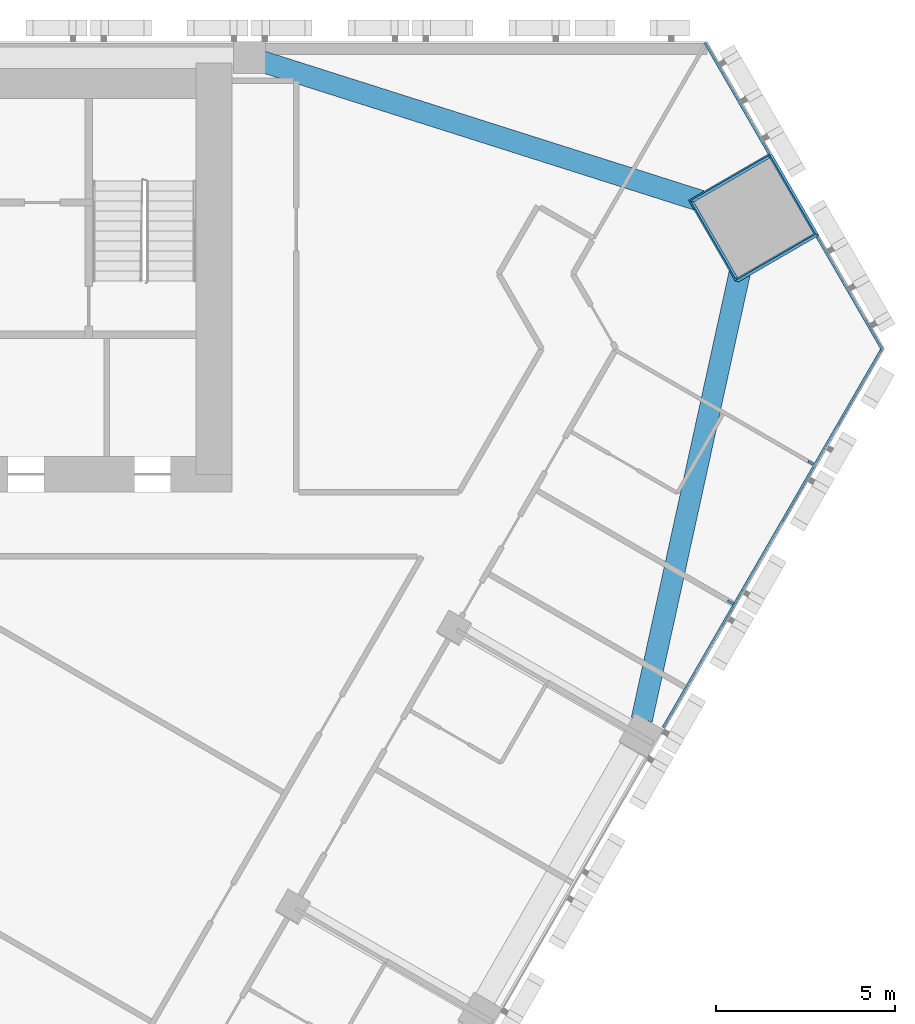
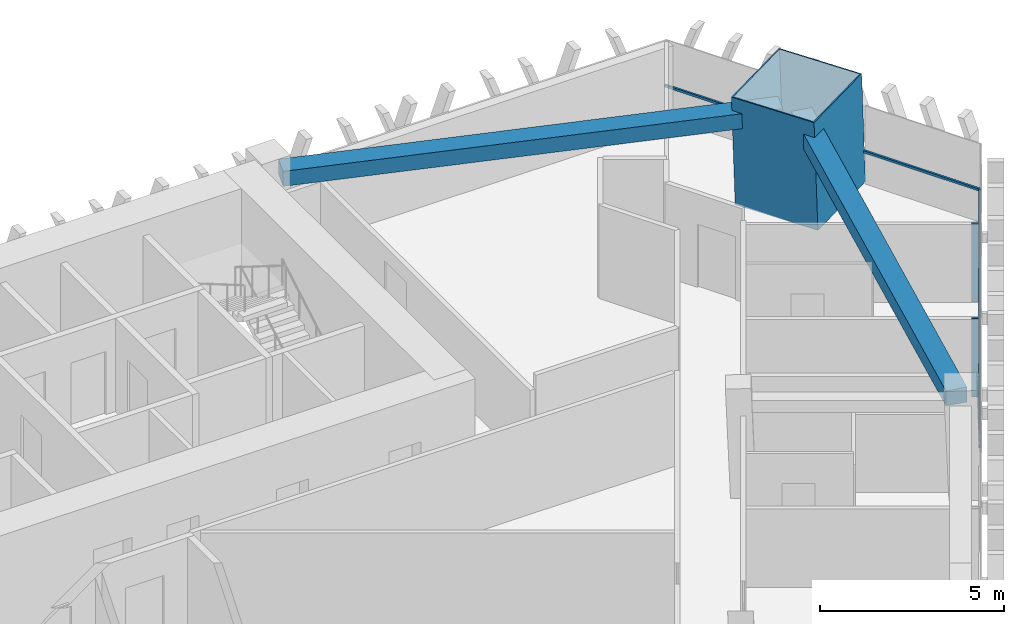
# One storey, part 8 of 17: 6 members, 2 beams, 2 elements without a shape of their own.
"""IFC4 building model written with IfcOpenShell, lengths in metres."""

from ifc_helpers import new_model, si_unit, direction, frame, origin, origin_2d, place, context, subcontext, project, spatial, rectangle, hollow_rectangle, extrude, material, layer, layer_set, material_profile, profile_set, type_object, element, aggregate, save


model = new_model("IFC4")

# Units and contexts
model_context = context("Model", 3, precision=1e-05, world=origin(), true_north=direction((0.0, 1.0)))
body_context = subcontext(model_context, "Body", "Model", "MODEL_VIEW")
ifc_project = project(units=[si_unit("LENGTHUNIT", "METRE"), si_unit("AREAUNIT", "SQUARE_METRE"), si_unit("VOLUMEUNIT", "CUBIC_METRE"), si_unit("PLANEANGLEUNIT", "RADIAN"), si_unit("MASSUNIT", "GRAM", prefix="KILO")], contexts=[model_context])

# Site, building, storey
site_placement = place(None, origin())
site = spatial("IfcSite", under=ifc_project, at=site_placement, CompositionType="ELEMENT")
building_placement = place(site_placement, origin())
building = spatial("IfcBuilding", under=site, at=building_placement, Name="Altiplano Prism Tower", CompositionType="ELEMENT")
storey_placement = place(building_placement, frame((0.0, 0.0, 30.60009765625)))
storey = spatial("IfcBuildingStorey", under=building, at=storey_placement, Name="L06", CompositionType="ELEMENT", Elevation=30.60009765625)

# Curtain wall, members
ifc_material_1 = material(Name="Aluminium and glass", Category="aluminium")
ifc_layer = layer(ifc_material_1, 0.280029296875)
ifc_layer_set = layer_set([ifc_layer], Name="Aluminium and glass")
curtain_wall_type = type_object("IfcCurtainWallType", Name="CW1 typical co-living unitised curtain wall", PredefinedType="NOTDEFINED", material=ifc_layer_set)
curtain_wall_1_placement = place(storey_placement, origin())
curtain_wall_1 = element("IfcCurtainWall", 1, at=curtain_wall_1_placement, inside=storey, type_object=curtain_wall_type, Name="CW1 curtain wall south-east face L06", PredefinedType="NOTDEFINED")
ifc_material_2 = material(Name="Aluminium", Category="aluminium")
ifc_material_profile_1 = material_profile(ifc_material_2, rectangle(XDim=0.179931640625, YDim=0.06494140625, at=origin_2d()), Name="CW1 mullion 65 x 180")
ifc_profile_set_1 = profile_set([ifc_material_profile_1], Name="Aluminium")
member_type_1 = type_object("IfcMemberType", Name="CW1 mullion 65 x 180", PredefinedType="MULLION", material=ifc_profile_set_1)
member_1_placement = place(storey_placement, frame((111.94189453125, 89.322021484375, 0.0), z_axis=(0.0, 0.0, 1.0), x_axis=(-0.866025402886, 0.500000001557, 0.0)))
member_1 = element("IfcMember", 2, at=member_1_placement, type_object=member_type_1, Name="CW1 mullion", PredefinedType="MULLION", context=body_context, shape_type="SweptSolid", body=[
    extrude(rectangle(XDim=0.179931640625, YDim=0.06494140625, at=origin_2d()), origin(), (0.0, 0.0, 1.0), 2.599853515625),
])
member_2_placement = place(storey_placement, frame((114.19189453125, 93.21923828125, 0.0), z_axis=(0.0, 0.0, 1.0), x_axis=(-0.866025402886, 0.500000001557, 0.0)))
member_2 = element("IfcMember", 3, at=member_2_placement, type_object=member_type_1, Name="CW1 mullion", PredefinedType="MULLION", context=body_context, shape_type="SweptSolid", body=[
    extrude(rectangle(XDim=0.179931640625, YDim=0.06494140625, at=origin_2d()), origin(), (0.0, 0.0, 1.0), 2.599853515625),
])
ifc_material_profile_2 = material_profile(ifc_material_2, rectangle(XDim=0.06005859375, YDim=0.080078125, at=origin_2d()), Name="CW1 transom 80 x 60")
ifc_profile_set_2 = profile_set([ifc_material_profile_2], Name="Aluminium")
member_type_2 = type_object("IfcMemberType", Name="CW1 transom 80 x 60", PredefinedType="USERDEFINED", material=ifc_profile_set_2)
member_3_placement = place(storey_placement, frame((110.060546875, 85.823486328125, 1.099853515625), z_axis=(0.500006861528, 0.866021442243, 0.0), x_axis=(-0.866021442243, 0.500006861528, 0.0)))
member_3 = element("IfcMember", 4, at=member_3_placement, type_object=member_type_2, Name="CW1 transom", ObjectType="TRANSOM", PredefinedType="USERDEFINED", context=body_context, shape_type="SweptSolid", body=[
    extrude(rectangle(XDim=0.06005859375, YDim=0.080078125, at=origin_2d()), origin(), (0.0, 0.0, 1.0), 12.260498046875),
])
aggregate(curtain_wall_1, [member_1, member_2, member_3])

curtain_wall_2_placement = place(storey_placement, origin())
curtain_wall_2 = element("IfcCurtainWall", 5, at=curtain_wall_2_placement, inside=storey, type_object=curtain_wall_type, Name="CW1 curtain wall north-east chamfer L06", PredefinedType="NOTDEFINED")
member_4_placement = place(storey_placement, frame((116.19091796875, 96.371337890625, 1.099853515625), z_axis=(-0.499989866495, 0.866031254287, 0.0), x_axis=(-0.866031254287, -0.499989866495, 0.0)))
member_4 = element("IfcMember", 6, at=member_4_placement, type_object=member_type_2, Name="CW1 transom", ObjectType="TRANSOM", PredefinedType="USERDEFINED", context=body_context, shape_type="SweptSolid", body=[
    extrude(rectangle(XDim=0.06005859375, YDim=0.080078125, at=origin_2d()), origin(), (0.0, 0.0, 1.0), 3.66162109375),
])
member_5_placement = place(storey_placement, frame((113.020263671875, 101.86328125, 1.099853515625), z_axis=(-0.499987977232, 0.866032345022, 0.0), x_axis=(-0.866032345022, -0.499987977232, 0.0)))
member_5 = element("IfcMember", 7, at=member_5_placement, type_object=member_type_2, Name="CW1 transom", ObjectType="TRANSOM", PredefinedType="USERDEFINED", context=body_context, shape_type="SweptSolid", body=[
    extrude(rectangle(XDim=0.06005859375, YDim=0.080078125, at=origin_2d()), origin(), (0.0, 0.0, 1.0), 3.58154296875),
])
aggregate(curtain_wall_2, [member_4, member_5])

# Beams
ifc_material_3 = material(Name="Concrete C60/75", Category="concrete")
ifc_material_profile_3 = material_profile(ifc_material_3, rectangle(XDim=0.60009765625, YDim=0.5, at=origin_2d()), Name="Edge beam 600x500")
ifc_profile_set_3 = profile_set([ifc_material_profile_3], Name="Concrete C60/75")
beam_type = type_object("IfcBeamType", Name="Edge beam 600x500", PredefinedType="SPANDREL", material=ifc_profile_set_3)
beam_1_placement = place(storey_placement, frame((109.462158203125, 86.037353515625, 2.849853515625), z_axis=(0.214178143298, 0.976794616556, 0.0), x_axis=(-0.976794616556, 0.214178143298, 0.0)))
element("IfcBeam", 8, at=beam_1_placement, inside=storey, type_object=beam_type, Name="Edge beam P24-M2 L07", PredefinedType="SPANDREL", context=body_context, shape_type="SweptSolid", body=[
    extrude(rectangle(XDim=0.60009765625, YDim=0.5, at=origin_2d()), origin(), (0.0, 0.0, 1.0), 13.932861328125),
])
beam_2_placement = place(storey_placement, frame((112.11376953125, 100.222900390625, 2.849853515625), z_axis=(-0.95301663916, 0.302917951738, 0.0), x_axis=(-0.302917951738, -0.95301663916, 0.0)))
element("IfcBeam", 9, at=beam_2_placement, inside=storey, type_object=beam_type, Name="Edge beam M2-P01 L07", PredefinedType="SPANDREL", context=body_context, shape_type="SweptSolid", body=[
    extrude(rectangle(XDim=0.60009765625, YDim=0.5, at=origin_2d()), origin(), (0.0, 0.0, 1.0), 13.9326171875),
])

# Member
ifc_material_4 = material(Name="Steel S460", Category="steel")
ifc_material_profile_4 = material_profile(ifc_material_4, hollow_rectangle(XDim=2.60009765625, YDim=2.60009765625, WallThickness=0.0400390625, at=origin_2d()), Name="Mega column tube 2600")
ifc_profile_set_4 = profile_set([ifc_material_profile_4], Name="Steel S460")
member_type_3 = type_object("IfcMemberType", Name="Mega column tube 2600", PredefinedType="POST", material=ifc_profile_set_4)
member_6_placement = place(storey_placement, frame((112.64501953125, 100.05322265625, 0.0), z_axis=(-0.028403739082, 0.009219352065, 0.999554016126), x_axis=(0.500759903992, -0.865301216656, 0.022210875906)))
element("IfcMember", 10, at=member_6_placement, inside=storey, type_object=member_type_3, Name="Mega column tube M2 L06", PredefinedType="POST", context=body_context, shape_type="SweptSolid", body=[
    extrude(hollow_rectangle(XDim=2.60009765625, YDim=2.60009765625, WallThickness=0.0400390625, at=origin_2d()), origin(), (0.0, 0.0, 1.0), 3.6015625),
])

save(model, "model.ifc")
